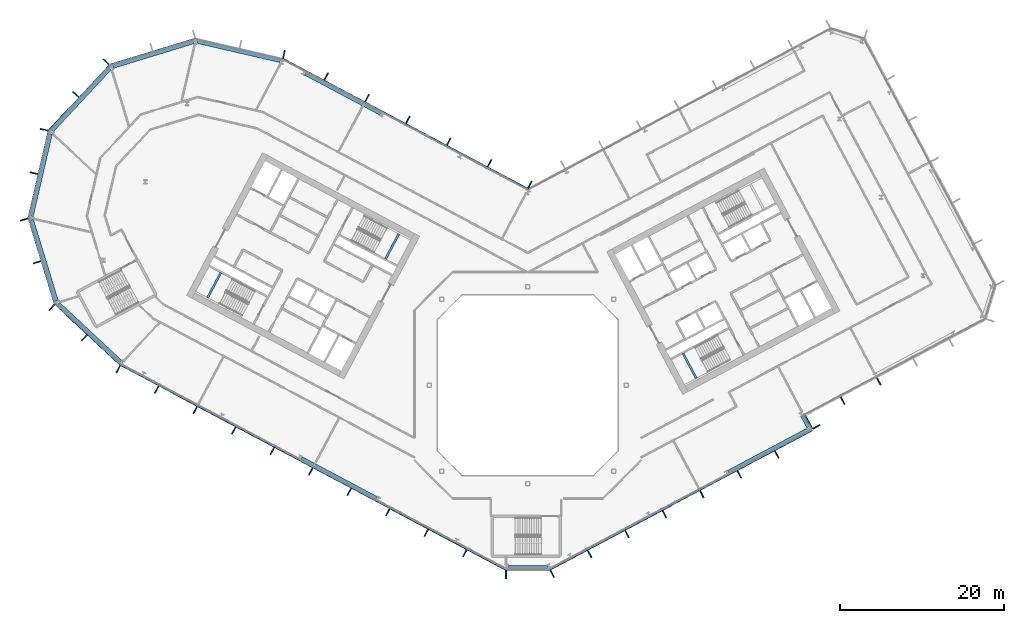
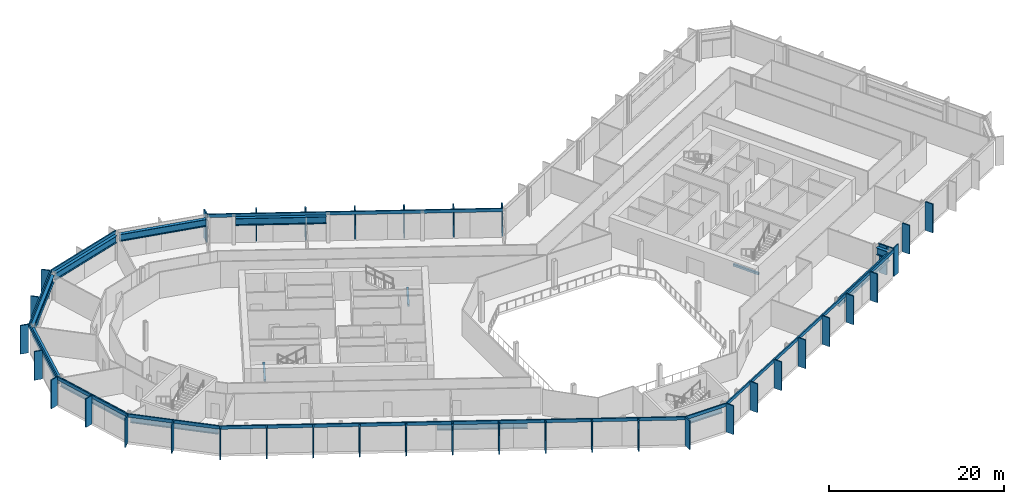
# One storey, part 9 of 28: 47 members, 14 beams, 12 elements without a shape of their own.
"""IFC4 building model written with IfcOpenShell, lengths in metres."""

from ifc_helpers import new_model, si_unit, direction, frame, origin, origin_2d, place, context, subcontext, project, spatial, rectangle, i_section, extrude, material, layer, layer_set, material_profile, profile_set, type_object, element, aggregate, save


model = new_model("IFC4")

# Units and contexts
model_context = context("Model", 3, precision=1e-05, world=origin(), true_north=direction((0.0, 1.0)))
body_context = subcontext(model_context, "Body", "Model", "MODEL_VIEW")
ifc_project = project(units=[si_unit("LENGTHUNIT", "METRE"), si_unit("AREAUNIT", "SQUARE_METRE"), si_unit("VOLUMEUNIT", "CUBIC_METRE"), si_unit("PLANEANGLEUNIT", "RADIAN"), si_unit("MASSUNIT", "GRAM", prefix="KILO")], contexts=[model_context])

# Site, building, storey
site_placement = place(None, origin())
site = spatial("IfcSite", under=ifc_project, at=site_placement, CompositionType="ELEMENT")
building_placement = place(site_placement, origin())
building = spatial("IfcBuilding", under=site, at=building_placement, Name="Cormorant Relay Tower", CompositionType="ELEMENT")
storey_placement = place(building_placement, frame((0.0, 0.0, 134.199951171875)))
storey = spatial("IfcBuildingStorey", under=building, at=storey_placement, Name="L27", CompositionType="ELEMENT", Elevation=134.199951171875)

# Curtain wall, member
ifc_material_1 = material(Name="Aluminium 6063-T6 anodised bronze", Category="aluminium")
ifc_layer = layer(ifc_material_1, 0.199951171875)
ifc_layer_set = layer_set([ifc_layer], Name="CW1 unitised bronze curtain wall with vertical fins")
curtain_wall_type = type_object("IfcCurtainWallType", Name="CW1 unitised bronze curtain wall with vertical fins", PredefinedType="NOTDEFINED", material=ifc_layer_set)
curtain_wall_1_placement = place(storey_placement, origin())
curtain_wall_1 = element("IfcCurtainWall", 1, at=curtain_wall_1_placement, inside=storey, type_object=curtain_wall_type, Name="CW1 curtain wall 1", PredefinedType="NOTDEFINED")
ifc_material_2 = material(Name="Aluminium 6063-T6 anodised bronze", Category="aluminium")
ifc_material_profile_1 = material_profile(ifc_material_2, rectangle(XDim=0.14990234375, YDim=1.0, at=origin_2d()), Name="AL 150x1000")
ifc_profile_set_1 = profile_set([ifc_material_profile_1], Name="Aluminium 6063-T6 anodised bronze")
member_type_1 = type_object("IfcMemberType", Name="CW1 bronze fin mullion 150 x 1000", PredefinedType="MULLION", material=ifc_profile_set_1)
member_1_placement = place(storey_placement, frame((-2.648681640625, -23.07568359375, 0.0), z_axis=(0.0, 0.0, 1.0), x_axis=(1.0, 0.0, 0.0)))
member_1 = element("IfcMember", 2, at=member_1_placement, type_object=member_type_1, Name="CW1 fin 1.1", PredefinedType="MULLION", context=body_context, shape_type="SweptSolid", body=[
    extrude(rectangle(XDim=0.14990234375, YDim=1.0, at=origin_2d()), origin(), (0.0, 0.0, 1.0), 4.0),
])

# Curtain wall, members
curtain_wall_2_placement = place(storey_placement, origin())
curtain_wall_2 = element("IfcCurtainWall", 3, at=curtain_wall_2_placement, inside=storey, type_object=curtain_wall_type, Name="CW1 curtain wall 2", PredefinedType="NOTDEFINED")
member_2_placement = place(storey_placement, frame((2.9775390625, -22.99365234375, 0.0), z_axis=(0.0, 0.0, 1.0), x_axis=(0.882947592859, 0.469471562786, 0.0)))
member_2 = element("IfcMember", 4, at=member_2_placement, type_object=member_type_1, Name="CW1 fin 2.1", PredefinedType="MULLION", context=body_context, shape_type="SweptSolid", body=[
    extrude(rectangle(XDim=0.14990234375, YDim=1.0, at=origin_2d()), origin(), (0.0, 0.0, 1.0), 4.0),
])
member_3_placement = place(storey_placement, frame((7.539306640625, -20.568115234375, 0.0), z_axis=(0.0, 0.0, 1.0), x_axis=(0.882947592859, 0.469471562786, 0.0)))
member_3 = element("IfcMember", 5, at=member_3_placement, type_object=member_type_1, Name="CW1 fin 2.2", PredefinedType="MULLION", context=body_context, shape_type="SweptSolid", body=[
    extrude(rectangle(XDim=0.14990234375, YDim=1.0, at=origin_2d()), origin(), (0.0, 0.0, 1.0), 4.0),
])
member_4_placement = place(storey_placement, frame((12.10107421875, -18.142578125, 0.0), z_axis=(0.0, 0.0, 1.0), x_axis=(0.882947592859, 0.469471562786, 0.0)))
member_4 = element("IfcMember", 6, at=member_4_placement, type_object=member_type_1, Name="CW1 fin 2.3", PredefinedType="MULLION", context=body_context, shape_type="SweptSolid", body=[
    extrude(rectangle(XDim=0.14990234375, YDim=1.0, at=origin_2d()), origin(), (0.0, 0.0, 1.0), 4.0),
])
member_5_placement = place(storey_placement, frame((16.662841796875, -15.717041015625, 0.0), z_axis=(0.0, 0.0, 1.0), x_axis=(0.882947592859, 0.469471562786, 0.0)))
member_5 = element("IfcMember", 7, at=member_5_placement, type_object=member_type_1, Name="CW1 fin 2.4", PredefinedType="MULLION", context=body_context, shape_type="SweptSolid", body=[
    extrude(rectangle(XDim=0.14990234375, YDim=1.0, at=origin_2d()), origin(), (0.0, 0.0, 1.0), 4.0),
])
member_6_placement = place(storey_placement, frame((21.224609375, -13.29150390625, 0.0), z_axis=(0.0, 0.0, 1.0), x_axis=(0.882947592859, 0.469471562786, 0.0)))
member_6 = element("IfcMember", 8, at=member_6_placement, type_object=member_type_1, Name="CW1 fin 2.5", PredefinedType="MULLION", context=body_context, shape_type="SweptSolid", body=[
    extrude(rectangle(XDim=0.14990234375, YDim=1.0, at=origin_2d()), origin(), (0.0, 0.0, 1.0), 4.0),
])
member_7_placement = place(storey_placement, frame((25.78662109375, -10.865966796875, 0.0), z_axis=(0.0, 0.0, 1.0), x_axis=(0.882947592859, 0.469471562786, 0.0)))
member_7 = element("IfcMember", 9, at=member_7_placement, type_object=member_type_1, Name="CW1 fin 2.6", PredefinedType="MULLION", context=body_context, shape_type="SweptSolid", body=[
    extrude(rectangle(XDim=0.14990234375, YDim=1.0, at=origin_2d()), origin(), (0.0, 0.0, 1.0), 4.0),
])
member_8_placement = place(storey_placement, frame((30.348388671875, -8.440185546875, 0.0), z_axis=(0.0, 0.0, 1.0), x_axis=(0.882947592859, 0.469471562786, 0.0)))
member_8 = element("IfcMember", 10, at=member_8_placement, type_object=member_type_1, Name="CW1 fin 2.7", PredefinedType="MULLION", context=body_context, shape_type="SweptSolid", body=[
    extrude(rectangle(XDim=0.14990234375, YDim=1.0, at=origin_2d()), origin(), (0.0, 0.0, 1.0), 4.0),
])

# Curtain wall, member
curtain_wall_3_placement = place(storey_placement, origin())
curtain_wall_3 = element("IfcCurtainWall", 11, at=curtain_wall_3_placement, inside=storey, type_object=curtain_wall_type, Name="CW1 curtain wall 3", PredefinedType="NOTDEFINED")
member_9_placement = place(storey_placement, frame((35.199462890625, -5.068115234375, 0.0), z_axis=(0.0, 0.0, 1.0), x_axis=(-0.469471562786, 0.882947592859, 0.0)))
member_9 = element("IfcMember", 12, at=member_9_placement, type_object=member_type_1, Name="CW1 fin 3.1", PredefinedType="MULLION", context=body_context, shape_type="SweptSolid", body=[
    extrude(rectangle(XDim=0.14990234375, YDim=1.0, at=origin_2d()), origin(), (0.0, 0.0, 1.0), 4.0),
])

# Curtain wall, members
curtain_wall_4_placement = place(storey_placement, origin())
curtain_wall_4 = element("IfcCurtainWall", 13, at=curtain_wall_4_placement, inside=storey, type_object=curtain_wall_type, Name="CW1 curtain wall 4", PredefinedType="NOTDEFINED")
member_10_placement = place(storey_placement, frame((34.037353515625, -4.213623046875, 0.0), z_axis=(0.0, 0.0, 1.0), x_axis=(0.882947592859, 0.469471562786, 0.0)))
member_10 = element("IfcMember", 14, at=member_10_placement, type_object=member_type_1, Name="CW1 fin 4.1", PredefinedType="MULLION", context=body_context, shape_type="SweptSolid", body=[
    extrude(rectangle(XDim=0.14990234375, YDim=1.0, at=origin_2d()), origin(), (0.0, 0.0, 1.0), 4.0),
])
member_11_placement = place(storey_placement, frame((38.385986328125, -1.901611328125, 0.0), z_axis=(0.0, 0.0, 1.0), x_axis=(0.882947592859, 0.469471562786, 0.0)))
member_11 = element("IfcMember", 15, at=member_11_placement, type_object=member_type_1, Name="CW1 fin 4.2", PredefinedType="MULLION", context=body_context, shape_type="SweptSolid", body=[
    extrude(rectangle(XDim=0.14990234375, YDim=1.0, at=origin_2d()), origin(), (0.0, 0.0, 1.0), 4.0),
])
member_12_placement = place(storey_placement, frame((42.800537109375, 0.44580078125, 0.0), z_axis=(0.0, 0.0, 1.0), x_axis=(0.882947592859, 0.469471562786, 0.0)))
member_12 = element("IfcMember", 16, at=member_12_placement, type_object=member_type_1, Name="CW1 fin 4.3", PredefinedType="MULLION", context=body_context, shape_type="SweptSolid", body=[
    extrude(rectangle(XDim=0.14990234375, YDim=1.0, at=origin_2d()), origin(), (0.0, 0.0, 1.0), 4.0),
])
aggregate(curtain_wall_4, [member_10, member_11, member_12])

curtain_wall_5_placement = place(storey_placement, origin())
curtain_wall_5 = element("IfcCurtainWall", 17, at=curtain_wall_5_placement, inside=storey, type_object=curtain_wall_type, Name="CW1 curtain wall 9", PredefinedType="NOTDEFINED")
member_13_placement = place(storey_placement, frame((0.262451171875, 24.437255859375, 0.0), z_axis=(0.0, 0.0, 1.0), x_axis=(-0.882947592859, 0.469471562786, 0.0)))
member_13 = element("IfcMember", 18, at=member_13_placement, type_object=member_type_1, Name="CW1 fin 9.1", PredefinedType="MULLION", context=body_context, shape_type="SweptSolid", body=[
    extrude(rectangle(XDim=0.14990234375, YDim=1.0, at=origin_2d()), origin(), (0.0, 0.0, 1.0), 4.0),
])
member_14_placement = place(storey_placement, frame((-4.650390625, 27.04931640625, 0.0), z_axis=(0.0, 0.0, 1.0), x_axis=(-0.882947592859, 0.469471562786, 0.0)))
member_14 = element("IfcMember", 19, at=member_14_placement, type_object=member_type_1, Name="CW1 fin 9.2", PredefinedType="MULLION", context=body_context, shape_type="SweptSolid", body=[
    extrude(rectangle(XDim=0.14990234375, YDim=1.0, at=origin_2d()), origin(), (0.0, 0.0, 1.0), 4.0),
])
member_15_placement = place(storey_placement, frame((-9.62939453125, 29.69677734375, 0.0), z_axis=(0.0, 0.0, 1.0), x_axis=(-0.882947592859, 0.469471562786, 0.0)))
member_15 = element("IfcMember", 20, at=member_15_placement, type_object=member_type_1, Name="CW1 fin 9.3", PredefinedType="MULLION", context=body_context, shape_type="SweptSolid", body=[
    extrude(rectangle(XDim=0.14990234375, YDim=1.0, at=origin_2d()), origin(), (0.0, 0.0, 1.0), 4.0),
])
member_16_placement = place(storey_placement, frame((-14.608154296875, 32.343994140625, 0.0), z_axis=(0.0, 0.0, 1.0), x_axis=(-0.882947592859, 0.469471562786, 0.0)))
member_16 = element("IfcMember", 21, at=member_16_placement, type_object=member_type_1, Name="CW1 fin 9.4", PredefinedType="MULLION", context=body_context, shape_type="SweptSolid", body=[
    extrude(rectangle(XDim=0.14990234375, YDim=1.0, at=origin_2d()), origin(), (0.0, 0.0, 1.0), 4.0),
])
member_17_placement = place(storey_placement, frame((-19.587158203125, 34.991455078125, 0.0), z_axis=(0.0, 0.0, 1.0), x_axis=(-0.882947592859, 0.469471562786, 0.0)))
member_17 = element("IfcMember", 22, at=member_17_placement, type_object=member_type_1, Name="CW1 fin 9.5", PredefinedType="MULLION", context=body_context, shape_type="SweptSolid", body=[
    extrude(rectangle(XDim=0.14990234375, YDim=1.0, at=origin_2d()), origin(), (0.0, 0.0, 1.0), 4.0),
])
member_18_placement = place(storey_placement, frame((-24.566162109375, 37.638916015625, 0.0), z_axis=(0.0, 0.0, 1.0), x_axis=(-0.882947592859, 0.469471562786, 0.0)))
member_18 = element("IfcMember", 23, at=member_18_placement, type_object=member_type_1, Name="CW1 fin 9.6", PredefinedType="MULLION", context=body_context, shape_type="SweptSolid", body=[
    extrude(rectangle(XDim=0.14990234375, YDim=1.0, at=origin_2d()), origin(), (0.0, 0.0, 1.0), 4.0),
])

# Curtain wall, member
curtain_wall_6_placement = place(storey_placement, origin())
curtain_wall_6 = element("IfcCurtainWall", 24, at=curtain_wall_6_placement, inside=storey, type_object=curtain_wall_type, Name="CW1 curtain wall 10", PredefinedType="NOTDEFINED")
member_19_placement = place(storey_placement, frame((-29.71630859375, 40.35009765625, 0.0), z_axis=(0.0, 0.0, 1.0), x_axis=(-0.974370064785, 0.224951054344, 0.0)))
member_19 = element("IfcMember", 25, at=member_19_placement, type_object=member_type_1, Name="CW1 fin 10.1", PredefinedType="MULLION", context=body_context, shape_type="SweptSolid", body=[
    extrude(rectangle(XDim=0.14990234375, YDim=1.0, at=origin_2d()), origin(), (0.0, 0.0, 1.0), 4.0),
])
aggregate(curtain_wall_6, [member_19])

# Curtain wall, members
curtain_wall_7_placement = place(storey_placement, origin())
curtain_wall_7 = element("IfcCurtainWall", 26, at=curtain_wall_7_placement, inside=storey, type_object=curtain_wall_type, Name="CW1 curtain wall 12", PredefinedType="NOTDEFINED")
member_20_placement = place(storey_placement, frame((-51.372802734375, 39.41259765625, 0.0), z_axis=(0.0, 0.0, 1.0), x_axis=(-0.681998360062, -0.731353701619, 0.0)))
member_20 = element("IfcMember", 27, at=member_20_placement, type_object=member_type_1, Name="CW1 fin 12.1", PredefinedType="MULLION", context=body_context, shape_type="SweptSolid", body=[
    extrude(rectangle(XDim=0.14990234375, YDim=1.0, at=origin_2d()), origin(), (0.0, 0.0, 1.0), 4.0),
])
member_21_placement = place(storey_placement, frame((-55.07958984375, 35.4375, 0.0), z_axis=(0.0, 0.0, 1.0), x_axis=(-0.681998360062, -0.731353701619, 0.0)))
member_21 = element("IfcMember", 28, at=member_21_placement, type_object=member_type_1, Name="CW1 fin 12.2", PredefinedType="MULLION", context=body_context, shape_type="SweptSolid", body=[
    extrude(rectangle(XDim=0.14990234375, YDim=1.0, at=origin_2d()), origin(), (0.0, 0.0, 1.0), 4.0),
])

curtain_wall_8_placement = place(storey_placement, origin())
curtain_wall_8 = element("IfcCurtainWall", 29, at=curtain_wall_8_placement, inside=storey, type_object=curtain_wall_type, Name="CW1 curtain wall 13", PredefinedType="NOTDEFINED")
member_22_placement = place(storey_placement, frame((-58.95654296875, 31.142578125, 0.0), z_axis=(0.0, 0.0, 1.0), x_axis=(-0.224951054344, -0.974370064785, 0.0)))
member_22 = element("IfcMember", 30, at=member_22_placement, type_object=member_type_1, Name="CW1 fin 13.1", PredefinedType="MULLION", context=body_context, shape_type="SweptSolid", body=[
    extrude(rectangle(XDim=0.14990234375, YDim=1.0, at=origin_2d()), origin(), (0.0, 0.0, 1.0), 4.0),
])
member_23_placement = place(storey_placement, frame((-60.17919921875, 25.8466796875, 0.0), z_axis=(0.0, 0.0, 1.0), x_axis=(-0.224951054344, -0.974370064785, 0.0)))
member_23 = element("IfcMember", 31, at=member_23_placement, type_object=member_type_1, Name="CW1 fin 13.2", PredefinedType="MULLION", context=body_context, shape_type="SweptSolid", body=[
    extrude(rectangle(XDim=0.14990234375, YDim=1.0, at=origin_2d()), origin(), (0.0, 0.0, 1.0), 4.0),
])

curtain_wall_9_placement = place(storey_placement, origin())
curtain_wall_9 = element("IfcCurtainWall", 32, at=curtain_wall_9_placement, inside=storey, type_object=curtain_wall_type, Name="CW1 curtain wall 14", PredefinedType="NOTDEFINED")
member_24_placement = place(storey_placement, frame((-61.389404296875, 20.188720703125, 0.0), z_axis=(0.0, 0.0, 1.0), x_axis=(0.292371704723, -0.956304755963, 0.0)))
member_24 = element("IfcMember", 33, at=member_24_placement, type_object=member_type_1, Name="CW1 fin 14.1", PredefinedType="MULLION", context=body_context, shape_type="SweptSolid", body=[
    extrude(rectangle(XDim=0.14990234375, YDim=1.0, at=origin_2d()), origin(), (0.0, 0.0, 1.0), 4.0),
])
member_25_placement = place(storey_placement, frame((-59.80029296875, 14.990966796875, 0.0), z_axis=(0.0, 0.0, 1.0), x_axis=(0.292371704723, -0.956304755963, 0.0)))
member_25 = element("IfcMember", 34, at=member_25_placement, type_object=member_type_1, Name="CW1 fin 14.2", PredefinedType="MULLION", context=body_context, shape_type="SweptSolid", body=[
    extrude(rectangle(XDim=0.14990234375, YDim=1.0, at=origin_2d()), origin(), (0.0, 0.0, 1.0), 4.0),
])

curtain_wall_10_placement = place(storey_placement, origin())
curtain_wall_10 = element("IfcCurtainWall", 35, at=curtain_wall_10_placement, inside=storey, type_object=curtain_wall_type, Name="CW1 curtain wall 15", PredefinedType="NOTDEFINED")
member_26_placement = place(storey_placement, frame((-58.01904296875, 9.486083984375, 0.0), z_axis=(0.0, 0.0, 1.0), x_axis=(0.731353701619, -0.681998360062, 0.0)))
member_26 = element("IfcMember", 36, at=member_26_placement, type_object=member_type_1, Name="CW1 fin 15.1", PredefinedType="MULLION", context=body_context, shape_type="SweptSolid", body=[
    extrude(rectangle(XDim=0.14990234375, YDim=1.0, at=origin_2d()), origin(), (0.0, 0.0, 1.0), 4.0),
])
member_27_placement = place(storey_placement, frame((-54.0439453125, 5.779296875, 0.0), z_axis=(0.0, 0.0, 1.0), x_axis=(0.731353701619, -0.681998360062, 0.0)))
member_27 = element("IfcMember", 37, at=member_27_placement, type_object=member_type_1, Name="CW1 fin 15.2", PredefinedType="MULLION", context=body_context, shape_type="SweptSolid", body=[
    extrude(rectangle(XDim=0.14990234375, YDim=1.0, at=origin_2d()), origin(), (0.0, 0.0, 1.0), 4.0),
])

curtain_wall_11_placement = place(storey_placement, origin())
curtain_wall_11 = element("IfcCurtainWall", 38, at=curtain_wall_11_placement, inside=storey, type_object=curtain_wall_type, Name="CW1 curtain wall 16", PredefinedType="NOTDEFINED")
member_28_placement = place(storey_placement, frame((-49.920166015625, 1.96630859375, 0.0), z_axis=(0.0, 0.0, 1.0), x_axis=(0.882947592859, -0.469471562786, 0.0)))
member_28 = element("IfcMember", 39, at=member_28_placement, type_object=member_type_1, Name="CW1 fin 16.1", PredefinedType="MULLION", context=body_context, shape_type="SweptSolid", body=[
    extrude(rectangle(XDim=0.14990234375, YDim=1.0, at=origin_2d()), origin(), (0.0, 0.0, 1.0), 4.0),
])
member_29_placement = place(storey_placement, frame((-45.225830078125, -0.52978515625, 0.0), z_axis=(0.0, 0.0, 1.0), x_axis=(0.882947592859, -0.469471562786, 0.0)))
member_29 = element("IfcMember", 40, at=member_29_placement, type_object=member_type_1, Name="CW1 fin 16.2", PredefinedType="MULLION", context=body_context, shape_type="SweptSolid", body=[
    extrude(rectangle(XDim=0.14990234375, YDim=1.0, at=origin_2d()), origin(), (0.0, 0.0, 1.0), 4.0),
])
member_30_placement = place(storey_placement, frame((-40.531494140625, -3.025634765625, 0.0), z_axis=(0.0, 0.0, 1.0), x_axis=(0.882947592859, -0.469471562786, 0.0)))
member_30 = element("IfcMember", 41, at=member_30_placement, type_object=member_type_1, Name="CW1 fin 16.3", PredefinedType="MULLION", context=body_context, shape_type="SweptSolid", body=[
    extrude(rectangle(XDim=0.14990234375, YDim=1.0, at=origin_2d()), origin(), (0.0, 0.0, 1.0), 4.0),
])
member_31_placement = place(storey_placement, frame((-35.83740234375, -5.521728515625, 0.0), z_axis=(0.0, 0.0, 1.0), x_axis=(0.882947592859, -0.469471562786, 0.0)))
member_31 = element("IfcMember", 42, at=member_31_placement, type_object=member_type_1, Name="CW1 fin 16.4", PredefinedType="MULLION", context=body_context, shape_type="SweptSolid", body=[
    extrude(rectangle(XDim=0.14990234375, YDim=1.0, at=origin_2d()), origin(), (0.0, 0.0, 1.0), 4.0),
])
member_32_placement = place(storey_placement, frame((-31.14306640625, -8.017578125, 0.0), z_axis=(0.0, 0.0, 1.0), x_axis=(0.882947592859, -0.469471562786, 0.0)))
member_32 = element("IfcMember", 43, at=member_32_placement, type_object=member_type_1, Name="CW1 fin 16.5", PredefinedType="MULLION", context=body_context, shape_type="SweptSolid", body=[
    extrude(rectangle(XDim=0.14990234375, YDim=1.0, at=origin_2d()), origin(), (0.0, 0.0, 1.0), 4.0),
])
member_33_placement = place(storey_placement, frame((-26.44873046875, -10.513671875, 0.0), z_axis=(0.0, 0.0, 1.0), x_axis=(0.882947592859, -0.469471562786, 0.0)))
member_33 = element("IfcMember", 44, at=member_33_placement, type_object=member_type_1, Name="CW1 fin 16.6", PredefinedType="MULLION", context=body_context, shape_type="SweptSolid", body=[
    extrude(rectangle(XDim=0.14990234375, YDim=1.0, at=origin_2d()), origin(), (0.0, 0.0, 1.0), 4.0),
])
member_34_placement = place(storey_placement, frame((-21.754638671875, -13.009765625, 0.0), z_axis=(0.0, 0.0, 1.0), x_axis=(0.882947592859, -0.469471562786, 0.0)))
member_34 = element("IfcMember", 45, at=member_34_placement, type_object=member_type_1, Name="CW1 fin 16.7", PredefinedType="MULLION", context=body_context, shape_type="SweptSolid", body=[
    extrude(rectangle(XDim=0.14990234375, YDim=1.0, at=origin_2d()), origin(), (0.0, 0.0, 1.0), 4.0),
])
member_35_placement = place(storey_placement, frame((-17.060302734375, -15.505615234375, 0.0), z_axis=(0.0, 0.0, 1.0), x_axis=(0.882947592859, -0.469471562786, 0.0)))
member_35 = element("IfcMember", 46, at=member_35_placement, type_object=member_type_1, Name="CW1 fin 16.8", PredefinedType="MULLION", context=body_context, shape_type="SweptSolid", body=[
    extrude(rectangle(XDim=0.14990234375, YDim=1.0, at=origin_2d()), origin(), (0.0, 0.0, 1.0), 4.0),
])
member_36_placement = place(storey_placement, frame((-12.365966796875, -18.001708984375, 0.0), z_axis=(0.0, 0.0, 1.0), x_axis=(0.882947592859, -0.469471562786, 0.0)))
member_36 = element("IfcMember", 47, at=member_36_placement, type_object=member_type_1, Name="CW1 fin 16.9", PredefinedType="MULLION", context=body_context, shape_type="SweptSolid", body=[
    extrude(rectangle(XDim=0.14990234375, YDim=1.0, at=origin_2d()), origin(), (0.0, 0.0, 1.0), 4.0),
])
member_37_placement = place(storey_placement, frame((-7.671630859375, -20.49755859375, 0.0), z_axis=(0.0, 0.0, 1.0), x_axis=(0.882947592859, -0.469471562786, 0.0)))
member_37 = element("IfcMember", 48, at=member_37_placement, type_object=member_type_1, Name="CW1 fin 16.10", PredefinedType="MULLION", context=body_context, shape_type="SweptSolid", body=[
    extrude(rectangle(XDim=0.14990234375, YDim=1.0, at=origin_2d()), origin(), (0.0, 0.0, 1.0), 4.0),
])

# Member
ifc_material_3 = material(Name="Aluminium 6063-T6 anodised bronze", Category="aluminium")
ifc_material_profile_2 = material_profile(ifc_material_3, rectangle(XDim=0.159912109375, YDim=0.449951171875, at=origin_2d()), Name="AL 160x450")
ifc_profile_set_2 = profile_set([ifc_material_profile_2], Name="Aluminium 6063-T6 anodised bronze")
member_type_2 = type_object("IfcMemberType", Name="CW1 bronze transom 160 x 450", PredefinedType="USERDEFINED", material=ifc_profile_set_2)
member_38_placement = place(storey_placement, frame((-2.648681640625, -22.49560546875, 3.775146484375), z_axis=(1.0, 0.0, 0.0), x_axis=(0.0, 1.0, 0.0)))
member_38 = element("IfcMember", 49, at=member_38_placement, type_object=member_type_2, Name="CW1 transom 1", ObjectType="TRANSOM", PredefinedType="USERDEFINED", context=body_context, shape_type="SweptSolid", body=[
    extrude(rectangle(XDim=0.159912109375, YDim=0.449951171875, at=origin_2d()), origin(), (0.0, 0.0, 1.0), 5.29736328125),
])

aggregate(curtain_wall_1, [member_1, member_38])

member_39_placement = place(storey_placement, frame((2.705078125, -22.4814453125, 3.775146484375), z_axis=(0.882948899141, 0.469469106018, 0.0), x_axis=(-0.469469106018, 0.882948899141, 0.0)))
member_39 = element("IfcMember", 50, at=member_39_placement, type_object=member_type_2, Name="CW1 transom 2", ObjectType="TRANSOM", PredefinedType="USERDEFINED", context=body_context, shape_type="SweptSolid", body=[
    extrude(rectangle(XDim=0.159912109375, YDim=0.449951171875, at=origin_2d()), origin(), (0.0, 0.0, 1.0), 36.165771484375),
])

aggregate(curtain_wall_2, [member_2, member_3, member_4, member_5, member_6, member_7, member_8, member_39])

member_40_placement = place(storey_placement, frame((34.6875, -5.34033203125, 3.775146484375), z_axis=(-0.469580583036, 0.88288961713, 0.0), x_axis=(-0.88288961713, -0.469580583036, 0.0)))
member_40 = element("IfcMember", 51, at=member_40_placement, type_object=member_type_2, Name="CW1 transom 3", ObjectType="TRANSOM", PredefinedType="USERDEFINED", context=body_context, shape_type="SweptSolid", body=[
    extrude(rectangle(XDim=0.159912109375, YDim=0.449951171875, at=origin_2d()), origin(), (0.0, 0.0, 1.0), 2.0),
])

aggregate(curtain_wall_3, [member_9, member_40])

member_41_placement = place(storey_placement, frame((0.056396484375, 23.889892578125, 3.775146484375), z_axis=(-0.882946280328, 0.46947403129, 0.0), x_axis=(-0.46947403129, -0.882946280328, 0.0)))
member_41 = element("IfcMember", 52, at=member_41_placement, type_object=member_type_2, Name="CW1 transom 9", ObjectType="TRANSOM", PredefinedType="USERDEFINED", context=body_context, shape_type="SweptSolid", body=[
    extrude(rectangle(XDim=0.159912109375, YDim=0.449951171875, at=origin_2d()), origin(), (0.0, 0.0, 1.0), 33.834228515625),
])

aggregate(curtain_wall_5, [member_13, member_14, member_15, member_16, member_17, member_18, member_41])

# Curtain wall, member
curtain_wall_12_placement = place(storey_placement, origin())
curtain_wall_12 = element("IfcCurtainWall", 53, at=curtain_wall_12_placement, inside=storey, type_object=curtain_wall_type, Name="CW1 curtain wall 11", PredefinedType="NOTDEFINED")
member_42_placement = place(storey_placement, frame((-40.50048828125, 42.228271484375, 3.775146484375), z_axis=(-0.956304833932, -0.292371449698, 0.0), x_axis=(0.292371449698, -0.956304833932, 0.0)))
member_42 = element("IfcMember", 54, at=member_42_placement, type_object=member_type_2, Name="CW1 transom 11", ObjectType="TRANSOM", PredefinedType="USERDEFINED", context=body_context, shape_type="SweptSolid", body=[
    extrude(rectangle(XDim=0.159912109375, YDim=0.449951171875, at=origin_2d()), origin(), (0.0, 0.0, 1.0), 10.87060546875),
])
aggregate(curtain_wall_12, [member_42])

# Member
member_43_placement = place(storey_placement, frame((-50.94873046875, 39.01708984375, 3.775146484375), z_axis=(-0.681993299437, -0.731358420696, 0.0), x_axis=(0.731358420696, -0.681993299437, 0.0)))
member_43 = element("IfcMember", 55, at=member_43_placement, type_object=member_type_2, Name="CW1 transom 12", ObjectType="TRANSOM", PredefinedType="USERDEFINED", context=body_context, shape_type="SweptSolid", body=[
    extrude(rectangle(XDim=0.159912109375, YDim=0.449951171875, at=origin_2d()), origin(), (0.0, 0.0, 1.0), 10.870361328125),
])

aggregate(curtain_wall_7, [member_20, member_21, member_43])

member_44_placement = place(storey_placement, frame((-58.3916015625, 31.01220703125, 3.775146484375), z_axis=(-0.22495136131, -0.974369993916, 0.0), x_axis=(0.974369993916, -0.22495136131, 0.0)))
member_44 = element("IfcMember", 56, at=member_44_placement, type_object=member_type_2, Name="CW1 transom 13", ObjectType="TRANSOM", PredefinedType="USERDEFINED", context=body_context, shape_type="SweptSolid", body=[
    extrude(rectangle(XDim=0.159912109375, YDim=0.449951171875, at=origin_2d()), origin(), (0.0, 0.0, 1.0), 10.870361328125),
])

aggregate(curtain_wall_8, [member_22, member_23, member_44])

member_45_placement = place(storey_placement, frame((-60.834716796875, 20.358154296875, 3.775146484375), z_axis=(0.292377729282, -0.95630291405, 0.0), x_axis=(0.95630291405, 0.292377729282, 0.0)))
member_45 = element("IfcMember", 57, at=member_45_placement, type_object=member_type_2, Name="CW1 transom 14", ObjectType="TRANSOM", PredefinedType="USERDEFINED", context=body_context, shape_type="SweptSolid", body=[
    extrude(rectangle(XDim=0.159912109375, YDim=0.449951171875, at=origin_2d()), origin(), (0.0, 0.0, 1.0), 10.870361328125),
])

aggregate(curtain_wall_9, [member_24, member_25, member_45])

member_46_placement = place(storey_placement, frame((-57.62353515625, 9.91015625, 3.775146484375), z_axis=(0.731358420696, -0.681993299437, 0.0), x_axis=(0.681993299437, 0.731358420696, 0.0)))
member_46 = element("IfcMember", 58, at=member_46_placement, type_object=member_type_2, Name="CW1 transom 15", ObjectType="TRANSOM", PredefinedType="USERDEFINED", context=body_context, shape_type="SweptSolid", body=[
    extrude(rectangle(XDim=0.159912109375, YDim=0.449951171875, at=origin_2d()), origin(), (0.0, 0.0, 1.0), 10.870361328125),
])

aggregate(curtain_wall_10, [member_26, member_27, member_46])

member_47_placement = place(storey_placement, frame((-49.64794921875, 2.478515625, 3.775146484375), z_axis=(0.882947642542, -0.469471469346, 0.0), x_axis=(0.469471469346, 0.882947642542, 0.0)))
member_47 = element("IfcMember", 59, at=member_47_placement, type_object=member_type_2, Name="CW1 transom 16", ObjectType="TRANSOM", PredefinedType="USERDEFINED", context=body_context, shape_type="SweptSolid", body=[
    extrude(rectangle(XDim=0.159912109375, YDim=0.449951171875, at=origin_2d()), origin(), (0.0, 0.0, 1.0), 53.166015625),
])

aggregate(curtain_wall_11, [member_28, member_29, member_30, member_31, member_32, member_33, member_34, member_35, member_36, member_37, member_47])

# Beams
ifc_material_4 = material(Name="Steel ASTM A992 (Fy 345 MPa)", Category="steel")
ifc_material_profile_3 = material_profile(ifc_material_4, i_section(OverallWidth=0.4013671875, OverallDepth=1.000732421875, WebThickness=0.01904296875, FlangeThickness=0.0361328125, FilletRadius=0.02978515625, at=origin_2d()), Name="W1000x371")
ifc_profile_set_3 = profile_set([ifc_material_profile_3], Name="Steel ASTM A992 (Fy 345 MPa)")
beam_type_1 = type_object("IfcBeamType", Name="Spandrel W1000x371", PredefinedType="SPANDREL", material=ifc_profile_set_3)
beam_1_placement = place(storey_placement, frame((-2.35888671875, -22.1748046875, 3.1396484375), z_axis=(1.0, 0.0, 0.0), x_axis=(0.0, 1.0, 0.0)))
element("IfcBeam", 60, at=beam_1_placement, inside=storey, type_object=beam_type_1, Name="Spandrel beam L27-001", PredefinedType="SPANDREL", context=body_context, shape_type="SweptSolid", body=[
    extrude(i_section(OverallWidth=0.4013671875, OverallDepth=1.000732421875, WebThickness=0.01904296875, FlangeThickness=0.0361328125, FilletRadius=0.02978515625, at=origin_2d()), origin(), (0.0, 0.0, 1.0), 4.748046875),
])
beam_2_placement = place(storey_placement, frame((24.427001953125, -10.568603515625, 3.1396484375), z_axis=(0.88295524081, 0.469457178799, 0.0), x_axis=(-0.469457178799, 0.88295524081, 0.0)))
element("IfcBeam", 61, at=beam_2_placement, inside=storey, type_object=beam_type_1, Name="Spandrel beam L27-002", PredefinedType="SPANDREL", context=body_context, shape_type="SweptSolid", body=[
    extrude(i_section(OverallWidth=0.4013671875, OverallDepth=1.000732421875, WebThickness=0.01904296875, FlangeThickness=0.0361328125, FilletRadius=0.02978515625, at=origin_2d()), origin(), (0.0, 0.0, 1.0), 10.915771484375),
])
beam_3_placement = place(storey_placement, frame((34.191650390625, -5.091064453125, 3.1396484375), z_axis=(-0.469471937736, 0.882947393494, 0.0), x_axis=(-0.882947393494, -0.469471937736, 0.0)))
element("IfcBeam", 62, at=beam_3_placement, inside=storey, type_object=beam_type_1, Name="Spandrel beam L27-003", PredefinedType="SPANDREL", context=body_context, shape_type="SweptSolid", body=[
    extrude(i_section(OverallWidth=0.4013671875, OverallDepth=1.000732421875, WebThickness=0.01904296875, FlangeThickness=0.0361328125, FilletRadius=0.02978515625, at=origin_2d()), origin(), (0.0, 0.0, 1.0), 1.521728515625),
])
beam_4_placement = place(storey_placement, frame((-17.964599609375, 33.108642578125, 3.1396484375), z_axis=(-0.882946180893, 0.469474218299, 0.0), x_axis=(-0.469474218299, -0.882946180893, 0.0)))
element("IfcBeam", 63, at=beam_4_placement, inside=storey, type_object=beam_type_1, Name="Spandrel beam L27-009", PredefinedType="SPANDREL", context=body_context, shape_type="SweptSolid", body=[
    extrude(i_section(OverallWidth=0.4013671875, OverallDepth=1.000732421875, WebThickness=0.01904296875, FlangeThickness=0.0361328125, FilletRadius=0.02978515625, at=origin_2d()), origin(), (0.0, 0.0, 1.0), 10.388671875),
])
beam_5_placement = place(storey_placement, frame((-30.162109375, 39.52880859375, 3.1396484375), z_axis=(-0.974371727644, 0.224943851591, 0.0), x_axis=(-0.224943851591, -0.974371727644, 0.0)))
element("IfcBeam", 64, at=beam_5_placement, inside=storey, type_object=beam_type_1, Name="Spandrel beam L27-010", PredefinedType="SPANDREL", context=body_context, shape_type="SweptSolid", body=[
    extrude(i_section(OverallWidth=0.4013671875, OverallDepth=1.000732421875, WebThickness=0.01904296875, FlangeThickness=0.0361328125, FilletRadius=0.02978515625, at=origin_2d()), origin(), (0.0, 0.0, 1.0), 10.3583984375),
])
beam_6_placement = place(storey_placement, frame((-40.69140625, 41.834716796875, 3.1396484375), z_axis=(-0.95629714744, -0.292396589921, 0.0), x_axis=(0.292396589921, -0.95629714744, 0.0)))
element("IfcBeam", 65, at=beam_6_placement, inside=storey, type_object=beam_type_1, Name="Spandrel beam L27-011", PredefinedType="SPANDREL", context=body_context, shape_type="SweptSolid", body=[
    extrude(i_section(OverallWidth=0.4013671875, OverallDepth=1.000732421875, WebThickness=0.01904296875, FlangeThickness=0.0361328125, FilletRadius=0.02978515625, at=origin_2d()), origin(), (0.0, 0.0, 1.0), 10.31103515625),
])
beam_7_placement = place(storey_placement, frame((-50.917236328125, 38.58056640625, 3.1396484375), z_axis=(-0.682003508788, -0.731348900321, 0.0), x_axis=(0.731348900321, -0.682003508788, 0.0)))
element("IfcBeam", 66, at=beam_7_placement, inside=storey, type_object=beam_type_1, Name="Spandrel beam L27-012", PredefinedType="SPANDREL", context=body_context, shape_type="SweptSolid", body=[
    extrude(i_section(OverallWidth=0.4013671875, OverallDepth=1.000732421875, WebThickness=0.01904296875, FlangeThickness=0.0361328125, FilletRadius=0.02978515625, at=origin_2d()), origin(), (0.0, 0.0, 1.0), 10.310791015625),
])
for number, where, z_axis, x_axis, name in (
    (67, (-58.14599609375, 30.64990234375, 3.1396484375), (-0.224951162328, -0.974370039855, 0.0), (0.974370039855, -0.224951162328, 0.0), "Spandrel beam L27-013"),
    (68, (-60.44091796875, 20.16748046875, 3.1396484375), (0.292366522639, -0.95630634027, 0.0), (0.95630634027, 0.292366522639, 0.0), "Spandrel beam L27-014"),
):
    element("IfcBeam", number, at=place(storey_placement, frame(where, z_axis=z_axis, x_axis=x_axis)), inside=storey, type_object=beam_type_1, Name=name, PredefinedType="SPANDREL", context=body_context, shape_type="SweptSolid", body=[
        extrude(i_section(OverallWidth=0.4013671875, OverallDepth=1.000732421875, WebThickness=0.01904296875, FlangeThickness=0.0361328125, FilletRadius=0.02978515625, at=origin_2d()), origin(), (0.0, 0.0, 1.0), 10.310302734375),
    ])
beam_8_placement = place(storey_placement, frame((-57.1875, 9.94189453125, 3.1396484375), z_axis=(0.731351225545, -0.682001015317, 0.0), x_axis=(0.682001015317, 0.731351225545, 0.0)))
element("IfcBeam", 69, at=beam_8_placement, inside=storey, type_object=beam_type_1, Name="Spandrel beam L27-015", PredefinedType="SPANDREL", context=body_context, shape_type="SweptSolid", body=[
    extrude(i_section(OverallWidth=0.4013671875, OverallDepth=1.000732421875, WebThickness=0.01904296875, FlangeThickness=0.0361328125, FilletRadius=0.02978515625, at=origin_2d()), origin(), (0.0, 0.0, 1.0), 10.33935546875),
])
beam_9_placement = place(storey_placement, frame((-27.595458984375, -8.8837890625, 3.1396484375), z_axis=(0.882941619164, -0.4694827975, 0.0), x_axis=(0.4694827975, 0.882941619164, 0.0)))
element("IfcBeam", 70, at=beam_9_placement, inside=storey, type_object=beam_type_1, Name="Spandrel beam L27-016", PredefinedType="SPANDREL", context=body_context, shape_type="SweptSolid", body=[
    extrude(i_section(OverallWidth=0.4013671875, OverallDepth=1.000732421875, WebThickness=0.01904296875, FlangeThickness=0.0361328125, FilletRadius=0.02978515625, at=origin_2d()), origin(), (0.0, 0.0, 1.0), 10.388916015625),
])
ifc_material_5 = material(Name="Concrete 50 MPa", Category="concrete")
ifc_material_profile_4 = material_profile(ifc_material_5, rectangle(XDim=0.25, YDim=0.300048828125, at=origin_2d()), Name="RC 250x300")
ifc_profile_set_4 = profile_set([ifc_material_profile_4], Name="Concrete 50 MPa")
beam_type_2 = type_object("IfcBeamType", Name="Stair landing ledge beam 250x300", PredefinedType="BEAM", material=ifc_profile_set_4)
for number, where, z_axis, x_axis, name in (
    (71, (-17.338623046875, 15.3916015625, 1.650146484375), (0.469463917486, 0.882951657895, 0.0), (-0.882951657895, 0.469463917486, 0.0), "A1 landing ledge beam"),
    (72, (-37.404052734375, 13.715576171875, 1.650146484375), (-0.469463917486, -0.882951657895, 0.0), (0.882951657895, -0.469463917486, 0.0), "A2 landing ledge beam"),
    (73, (18.924072265625, 3.8896484375, 1.650146484375), (0.469463917486, -0.882951657895, 0.0), (0.882951657895, 0.469463917486, 0.0), "B1 landing ledge beam"),
):
    element("IfcBeam", number, at=place(storey_placement, frame(where, z_axis=z_axis, x_axis=x_axis)), inside=storey, type_object=beam_type_2, Name=name, PredefinedType="BEAM", context=body_context, shape_type="SweptSolid", body=[
        extrude(rectangle(XDim=0.25, YDim=0.300048828125, at=origin_2d()), origin(), (0.0, 0.0, 1.0), 3.449951171875),
    ])

save(model, "model.ifc")
